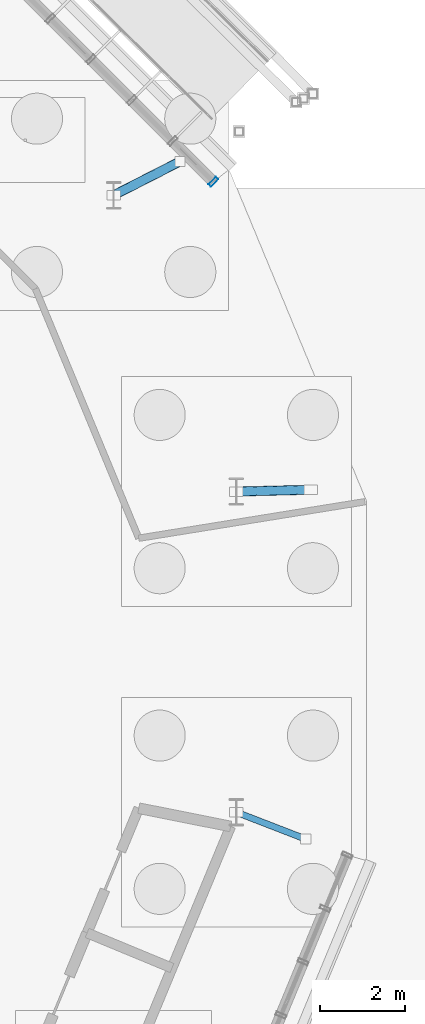
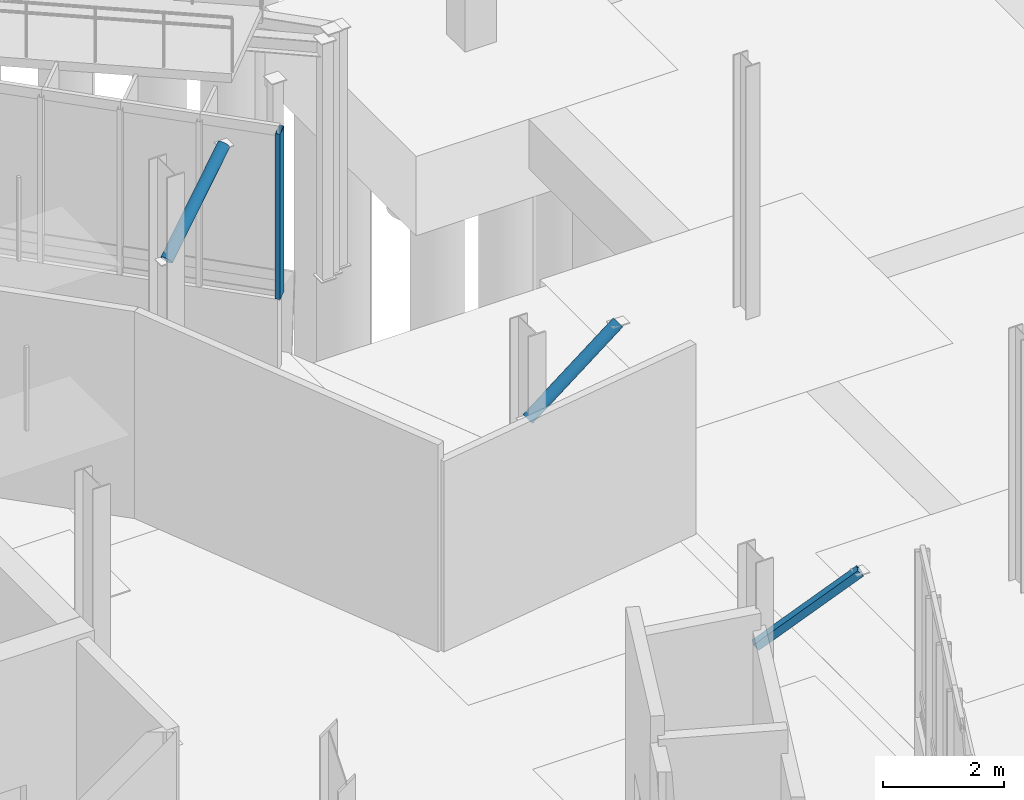
# One storey, part 52 of 119: 4 members, 1 element without a shape of its own.
"""IFC4 building model written with IfcOpenShell, lengths in metres."""

from ifc_helpers import new_model, si_unit, derived_unit, direction, frame, origin, origin_2d, place, context, subcontext, project, spatial, hollow_rectangle, hollow_circle, extrude, material, layer, layer_set, material_profile, profile_set, type_object, element, aggregate, save


model = new_model("IFC4")

# Units and contexts
model_context = context("Model", 3, precision=1e-05, world=origin(), true_north=direction((0.0, 1.0)))
body_context = subcontext(model_context, "Body", "Model", "MODEL_VIEW")
ifc_project = project(units=[si_unit("LENGTHUNIT", "METRE"), si_unit("AREAUNIT", "SQUARE_METRE"), si_unit("VOLUMEUNIT", "CUBIC_METRE"), si_unit("PLANEANGLEUNIT", "RADIAN"), si_unit("MASSUNIT", "GRAM", prefix="KILO"), derived_unit("THERMALTRANSMITTANCEUNIT", [(si_unit("MASSUNIT", "GRAM", prefix="KILO"), 1), (si_unit("TIMEUNIT", "SECOND"), -3), (si_unit("THERMODYNAMICTEMPERATUREUNIT", "KELVIN"), -1)])], contexts=[model_context])

# Site, building, storey
site_placement = place(None, origin())
site = spatial("IfcSite", under=ifc_project, at=site_placement, CompositionType="ELEMENT")
building_placement = place(site_placement, origin())
building = spatial("IfcBuilding", under=site, at=building_placement, Name="Makaiwela Harbour Ferry Terminal", CompositionType="ELEMENT")
storey_placement = place(building_placement, origin())
storey = spatial("IfcBuildingStorey", under=building, at=storey_placement, Name="L00", CompositionType="ELEMENT", Elevation=0.0)

# Curtain wall, member
ifc_material_1 = material(Name="Marine anodised aluminium 6063-T6", Category="aluminium")
ifc_layer = layer(ifc_material_1, 0.199951171875)
ifc_layer_set = layer_set([ifc_layer], Name="Marine anodised aluminium 6063-T6")
curtain_wall_type = type_object("IfcCurtainWallType", Name="ENV-CW-01", PredefinedType="USERDEFINED", material=ifc_layer_set)
curtain_wall_placement = place(storey_placement, origin())
curtain_wall = element("IfcCurtainWall", 1, at=curtain_wall_placement, inside=storey, type_object=curtain_wall_type, Name="Unitised Curtain Wall CWA-001", ObjectType="UNITIZED CURTAIN WALL", PredefinedType="USERDEFINED")
ifc_material_profile_1 = material_profile(ifc_material_1, hollow_rectangle(XDim=0.0849609375, YDim=0.25, WallThickness=0.0048828125, at=origin_2d()), Name="CWM-250X85")
ifc_profile_set_1 = profile_set([ifc_material_profile_1], Name="Marine anodised aluminium 6063-T6")
member_type_1 = type_object("IfcMemberType", Name="CW-MUL-250", PredefinedType="MULLION", material=ifc_profile_set_1)
member_1_placement = place(storey_placement, frame((55.48974609375, 79.13818359375, 1.47998046875), z_axis=(0.0, 0.0, 1.0), x_axis=(-0.707106781187, 0.707106781187, 0.0)))
member_1 = element("IfcMember", 2, at=member_1_placement, type_object=member_type_1, Name="Curtain Wall Mullion CWA-001-1", PredefinedType="MULLION", context=body_context, shape_type="SweptSolid", body=[
    extrude(hollow_rectangle(XDim=0.0849609375, YDim=0.25, WallThickness=0.0048828125, at=origin_2d()), origin(), (0.0, 0.0, 1.0), 3.340087890625),
])
aggregate(curtain_wall, [member_1])

# Members
ifc_material_2 = material(Name="Steel ASTM A500 Grade C", Category="steel")
ifc_material_profile_2 = material_profile(ifc_material_2, hollow_rectangle(XDim=0.152099609375, YDim=0.152099609375, WallThickness=0.0087890625, at=origin_2d()), Name="HSS6X6X3/8")
ifc_profile_set_2 = profile_set([ifc_material_profile_2], Name="Steel ASTM A500 Grade C")
member_type_2 = type_object("IfcMemberType", Name="STR-STT-HSS6", PredefinedType="STRUT", material=ifc_profile_set_2)
member_2_placement = place(storey_placement, frame((56.029296875, 64.334716796875, 3.199951171875), z_axis=(0.746136899299, -0.288787576075, 0.599901211375), x_axis=(0.360951045152, 0.932584764514, 0.0)))
element("IfcMember", 3, at=member_2_placement, inside=storey, type_object=member_type_2, Name="Structural Member SR-01", PredefinedType="STRUT", context=body_context, shape_type="SweptSolid", body=[
    extrude(hollow_rectangle(XDim=0.152099609375, YDim=0.152099609375, WallThickness=0.0087890625, at=origin_2d()), origin(), (0.0, 0.0, 1.0), 2.18701171875),
])
ifc_material_profile_3 = material_profile(ifc_material_2, hollow_circle(Radius=0.109619140625, WallThickness=0.00830078125, at=origin_2d()), Name="PIPE8STD")
ifc_profile_set_3 = profile_set([ifc_material_profile_3], Name="Steel ASTM A500 Grade C")
member_type_3 = type_object("IfcMemberType", Name="STR-STT-PIPE8", PredefinedType="STRUT", material=ifc_profile_set_3)
for number, where, z_axis, x_axis, name in (
    (4, (56.029296875, 71.865234375, 3.199951171875), (0.799870640639, 0.0197567825, 0.59984717036), (-0.02469244095, 0.999695095196, 0.0), "Structural Member SR-02"),
    (5, (53.1474609375, 78.822509765625, 3.199951171875), (0.71269565933, 0.363658959765, 0.59984752909), (-0.45450874445, 0.890742275419, 0.0), "Structural Member SR-02"),
):
    element("IfcMember", number, at=place(storey_placement, frame(where, z_axis=z_axis, x_axis=x_axis)), inside=storey, type_object=member_type_3, Name=name, PredefinedType="STRUT", context=body_context, shape_type="SweptSolid", body=[
        extrude(hollow_circle(Radius=0.109619140625, WallThickness=0.00830078125, at=origin_2d()), origin(), (0.0, 0.0, 1.0), 2.187255859375),
    ])

save(model, "model.ifc")
